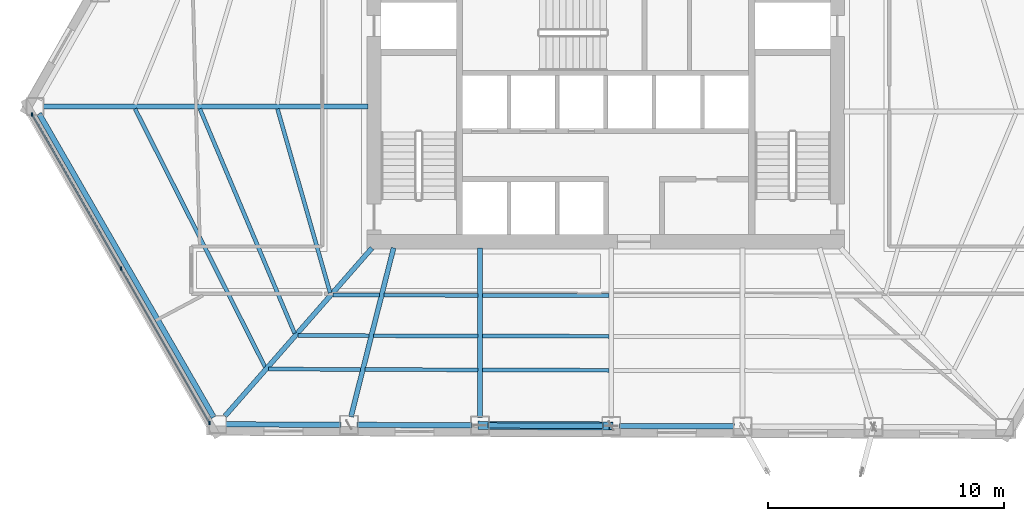
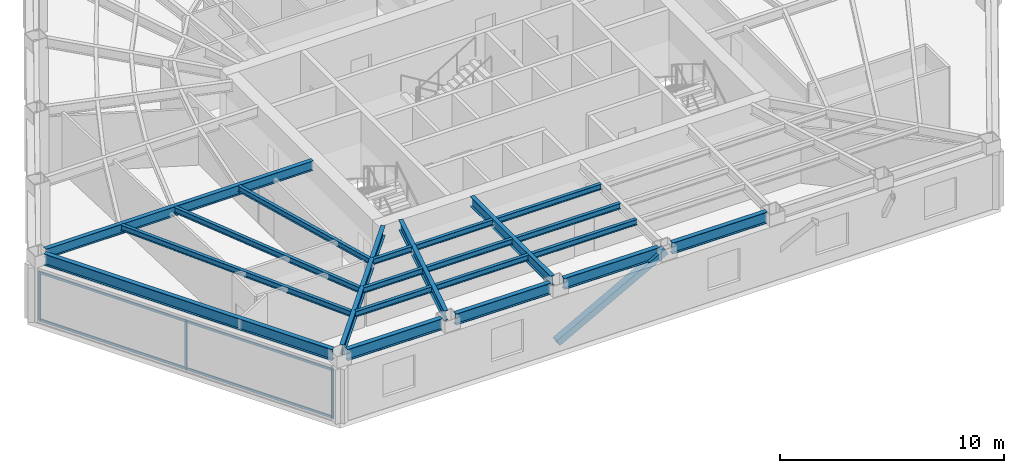
# One storey, part 2 of 13: 21 beams, 6 members, 1 element without a shape of its own.
"""IFC4 building model written with IfcOpenShell, lengths in metres."""

from ifc_helpers import new_model, si_unit, direction, frame, origin, origin_2d, place, context, subcontext, project, spatial, rectangle, hollow_rectangle, i_section, extrude, material, layer, layer_set, material_profile, profile_set, type_object, element, aggregate, save


model = new_model("IFC4")

# Units and contexts
model_context = context("Model", 3, precision=1e-05, world=origin(), true_north=direction((0.0, 1.0)))
body_context = subcontext(model_context, "Body", "Model", "MODEL_VIEW")
ifc_project = project(units=[si_unit("LENGTHUNIT", "METRE"), si_unit("AREAUNIT", "SQUARE_METRE"), si_unit("VOLUMEUNIT", "CUBIC_METRE"), si_unit("PLANEANGLEUNIT", "RADIAN"), si_unit("MASSUNIT", "GRAM", prefix="KILO")], contexts=[model_context])

# Site, building, storey
site_placement = place(None, origin())
site = spatial("IfcSite", under=ifc_project, at=site_placement, CompositionType="ELEMENT")
building_placement = place(site_placement, origin())
building = spatial("IfcBuilding", under=site, at=building_placement, Name="Kavelnor Concourse Tower", CompositionType="ELEMENT")
storey_placement = place(building_placement, frame((0.0, 0.0, 36.800048828125)))
storey = spatial("IfcBuildingStorey", under=building, at=storey_placement, Name="L09", CompositionType="ELEMENT", Elevation=36.800048828125)

# Beams
ifc_material_1 = material(Name="Steel Grade 350", Category="steel")
ifc_material_profile_1 = material_profile(ifc_material_1, i_section(OverallWidth=0.166015625, OverallDepth=0.306884765625, WebThickness=0.006591796875, FlangeThickness=0.01171875, at=origin_2d()), Name="310UB46")
ifc_profile_set_1 = profile_set([ifc_material_profile_1], Name="Steel Grade 350")
beam_type_1 = type_object("IfcBeamType", Name="BM-JOIST-310", PredefinedType="JOIST", material=ifc_profile_set_1)
beam_1_placement = place(storey_placement, frame((24.09228515625, 14.934326171875, 3.4365234375), z_axis=(0.274891986975, -0.961475114341, 0.0), x_axis=(0.961475114341, 0.274891986975, 0.0)))
element("IfcBeam", 1, at=beam_1_placement, inside=storey, type_object=beam_type_1, Name="L09 Secondary Composite Joist 01-1", PredefinedType="JOIST", context=body_context, shape_type="SweptSolid", body=[
    extrude(i_section(OverallWidth=0.166015625, OverallDepth=0.306884765625, WebThickness=0.006591796875, FlangeThickness=0.01171875, at=origin_2d()), origin(), (0.0, 0.0, 1.0), 8.114990234375),
])
beam_2_placement = place(storey_placement, frame((20.799560546875, 14.938232421875, 3.4365234375), z_axis=(0.388896715381, -0.921281360262, 0.0), x_axis=(0.921281360262, 0.388896715381, 0.0)))
element("IfcBeam", 2, at=beam_2_placement, inside=storey, type_object=beam_type_1, Name="L09 Secondary Composite Joist 01-2", PredefinedType="JOIST", context=body_context, shape_type="SweptSolid", body=[
    extrude(i_section(OverallWidth=0.166015625, OverallDepth=0.306884765625, WebThickness=0.006591796875, FlangeThickness=0.01171875, at=origin_2d()), origin(), (0.0, 0.0, 1.0), 10.331298828125),
])
beam_3_placement = place(storey_placement, frame((18.052001953125, 14.94091796875, 3.4365234375), z_axis=(0.449848799351, -0.893104729426, 0.0), x_axis=(0.893104729426, 0.449848799351, 0.0)))
element("IfcBeam", 3, at=beam_3_placement, inside=storey, type_object=beam_type_1, Name="L09 Secondary Composite Joist 01-3", PredefinedType="JOIST", context=body_context, shape_type="SweptSolid", body=[
    extrude(i_section(OverallWidth=0.166015625, OverallDepth=0.306884765625, WebThickness=0.006591796875, FlangeThickness=0.01171875, at=origin_2d()), origin(), (0.0, 0.0, 1.0), 12.25732421875),
])
beam_4_placement = place(storey_placement, frame((26.44873046875, 7.037353515625, 3.4365234375), z_axis=(0.999999222836, -0.001246726372, 0.0), x_axis=(0.001246726372, 0.999999222836, 0.0)))
element("IfcBeam", 4, at=beam_4_placement, inside=storey, type_object=beam_type_1, Name="L09 Secondary Composite Joist 02-1", PredefinedType="JOIST", context=body_context, shape_type="SweptSolid", body=[
    extrude(i_section(OverallWidth=0.166015625, OverallDepth=0.306884765625, WebThickness=0.006591796875, FlangeThickness=0.01171875, at=origin_2d()), origin(), (0.0, 0.0, 1.0), 1.958251953125),
])
beam_5_placement = place(storey_placement, frame((24.9541015625, 5.3291015625, 3.4365234375), z_axis=(0.99999246907, -0.003880953955, 0.0), x_axis=(0.003880953955, 0.99999246907, 0.0)))
element("IfcBeam", 5, at=beam_5_placement, inside=storey, type_object=beam_type_1, Name="L09 Secondary Composite Joist 02-2", PredefinedType="JOIST", context=body_context, shape_type="SweptSolid", body=[
    extrude(i_section(OverallWidth=0.166015625, OverallDepth=0.306884765625, WebThickness=0.006591796875, FlangeThickness=0.01171875, at=origin_2d()), origin(), (0.0, 0.0, 1.0), 3.01953125),
])
beam_6_placement = place(storey_placement, frame((23.70849609375, 3.905517578125, 3.4365234375), z_axis=(0.999987484595, -0.005003064338, 0.0), x_axis=(0.005003064338, 0.999987484595, 0.0)))
element("IfcBeam", 6, at=beam_6_placement, inside=storey, type_object=beam_type_1, Name="L09 Secondary Composite Joist 02-3", PredefinedType="JOIST", context=body_context, shape_type="SweptSolid", body=[
    extrude(i_section(OverallWidth=0.166015625, OverallDepth=0.306884765625, WebThickness=0.006591796875, FlangeThickness=0.01171875, at=origin_2d()), origin(), (0.0, 0.0, 1.0), 3.90380859375),
])
beam_7_placement = place(storey_placement, frame((28.60400390625, 7.03466796875, 3.4365234375), z_axis=(0.999999002523, -0.00141242797, 0.0), x_axis=(0.00141242797, 0.999999002523, 0.0)))
element("IfcBeam", 7, at=beam_7_placement, inside=storey, type_object=beam_type_1, Name="L09 Secondary Composite Joist 03-1", PredefinedType="JOIST", context=body_context, shape_type="SweptSolid", body=[
    extrude(i_section(OverallWidth=0.166015625, OverallDepth=0.306884765625, WebThickness=0.006591796875, FlangeThickness=0.01171875, at=origin_2d()), origin(), (0.0, 0.0, 1.0), 3.9755859375),
])
beam_8_placement = place(storey_placement, frame((28.170654296875, 5.31689453125, 3.4365234375), z_axis=(0.999996613305, -0.002602571617, 0.0), x_axis=(0.002602571617, 0.999996613305, 0.0)))
element("IfcBeam", 8, at=beam_8_placement, inside=storey, type_object=beam_type_1, Name="L09 Secondary Composite Joist 03-2", PredefinedType="JOIST", context=body_context, shape_type="SweptSolid", body=[
    extrude(i_section(OverallWidth=0.166015625, OverallDepth=0.306884765625, WebThickness=0.006591796875, FlangeThickness=0.01171875, at=origin_2d()), origin(), (0.0, 0.0, 1.0), 4.408935546875),
])
beam_9_placement = place(storey_placement, frame((27.809326171875, 3.88525390625, 3.4365234375), z_axis=(0.999994120896, -0.003429019198, 0.0), x_axis=(0.003429019198, 0.999994120896, 0.0)))
element("IfcBeam", 9, at=beam_9_placement, inside=storey, type_object=beam_type_1, Name="L09 Secondary Composite Joist 03-3", PredefinedType="JOIST", context=body_context, shape_type="SweptSolid", body=[
    extrude(i_section(OverallWidth=0.166015625, OverallDepth=0.306884765625, WebThickness=0.006591796875, FlangeThickness=0.01171875, at=origin_2d()), origin(), (0.0, 0.0, 1.0), 4.770263671875),
])
for number, where, z_axis, x_axis, name in (
    (10, (32.776611328125, 7.02880859375, 3.4365234375), (0.999999299171, -0.001183916114, 0.0), (0.001183916114, 0.999999299171, 0.0), "L09 Secondary Composite Joist 04-1"),
    (11, (32.776611328125, 5.3046875, 3.4365234375), (0.999997709871, -0.002140152651, 0.0), (0.002140152651, 0.999997709871, 0.0), "L09 Secondary Composite Joist 04-2"),
    (12, (32.776611328125, 3.8681640625, 3.4365234375), (0.999995484034, -0.003005314054, 0.0), (0.003005314054, 0.999995484034, 0.0), "L09 Secondary Composite Joist 04-3"),
):
    element("IfcBeam", number, at=place(storey_placement, frame(where, z_axis=z_axis, x_axis=x_axis)), inside=storey, type_object=beam_type_1, Name=name, PredefinedType="JOIST", context=body_context, shape_type="SweptSolid", body=[
        extrude(i_section(OverallWidth=0.166015625, OverallDepth=0.306884765625, WebThickness=0.006591796875, FlangeThickness=0.01171875, at=origin_2d()), origin(), (0.0, 0.0, 1.0), 5.361572265625),
    ])
ifc_material_profile_2 = material_profile(ifc_material_1, i_section(OverallWidth=0.208984375, OverallDepth=0.528076171875, WebThickness=0.009521484375, FlangeThickness=0.01318359375, at=origin_2d()), Name="530UB82")
ifc_profile_set_2 = profile_set([ifc_material_profile_2], Name="Steel Grade 350")
beam_type_2 = type_object("IfcBeamType", Name="BM-PRIMARY-530", PredefinedType="BEAM", material=ifc_profile_set_2)
beam_10_placement = place(storey_placement, frame((27.919921875, 15.029052734375, 3.325927734375), z_axis=(-1.0, 0.0, 0.0), x_axis=(0.0, -1.0, 0.0)))
element("IfcBeam", 13, at=beam_10_placement, inside=storey, type_object=beam_type_2, Name="L09 Primary Floor Girder F0-B6", PredefinedType="BEAM", context=body_context, shape_type="SweptSolid", body=[
    extrude(i_section(OverallWidth=0.208984375, OverallDepth=0.528076171875, WebThickness=0.009521484375, FlangeThickness=0.01318359375, at=origin_2d()), origin(), (0.0, 0.0, 1.0), 13.766845703125),
])
beam_11_placement = place(storey_placement, frame((28.09375, 9.030029296875, 3.325927734375), z_axis=(-0.658515574334, -0.752567098908, 0.0), x_axis=(0.752567098908, -0.658515574334, 0.0)))
element("IfcBeam", 14, at=beam_11_placement, inside=storey, type_object=beam_type_2, Name="L09 Primary Floor Girder F1-B0", PredefinedType="BEAM", context=body_context, shape_type="SweptSolid", body=[
    extrude(i_section(OverallWidth=0.208984375, OverallDepth=0.528076171875, WebThickness=0.009521484375, FlangeThickness=0.01318359375, at=origin_2d()), origin(), (0.0, 0.0, 1.0), 9.45654296875),
])
beam_12_placement = place(storey_placement, frame((29.01123046875, 9.038818359375, 3.325927734375), z_axis=(-0.244682907866, -0.96960315315, 0.0), x_axis=(0.96960315315, -0.244682907866, 0.0)))
element("IfcBeam", 15, at=beam_12_placement, inside=storey, type_object=beam_type_2, Name="L09 Primary Floor Girder F1-B1", PredefinedType="BEAM", context=body_context, shape_type="SweptSolid", body=[
    extrude(i_section(OverallWidth=0.208984375, OverallDepth=0.528076171875, WebThickness=0.009521484375, FlangeThickness=0.01318359375, at=origin_2d()), origin(), (0.0, 0.0, 1.0), 7.381591796875),
])
beam_13_placement = place(storey_placement, frame((32.677978515625, 9.0400390625, 3.325927734375), z_axis=(0.0, -1.0, 0.0), x_axis=(1.0, 0.0, 0.0)))
element("IfcBeam", 16, at=beam_13_placement, inside=storey, type_object=beam_type_2, Name="L09 Primary Floor Girder F1-B2", PredefinedType="BEAM", context=body_context, shape_type="SweptSolid", body=[
    extrude(i_section(OverallWidth=0.208984375, OverallDepth=0.528076171875, WebThickness=0.009521484375, FlangeThickness=0.01318359375, at=origin_2d()), origin(), (0.0, 0.0, 1.0), 7.1826171875),
])
ifc_material_profile_3 = material_profile(ifc_material_1, i_section(OverallWidth=0.22900390625, OverallDepth=0.612060546875, WebThickness=0.011962890625, FlangeThickness=0.01953125, at=origin_2d()), Name="610UB125")
ifc_profile_set_3 = profile_set([ifc_material_profile_3], Name="Steel Grade 350")
beam_type_3 = type_object("IfcBeamType", Name="BM-SPANDREL-Z1", PredefinedType="SPANDREL", material=ifc_profile_set_3)
for number, where, z_axis, x_axis, name in (
    (17, (21.9052734375, 1.56201171875, 3.283935546875), (0.999991339568, -0.004161825261, 0.0), (0.004161825261, 0.999991339568, 0.0), "L09 Perimeter Tube Spandrel Beam F1-B0"),
    (18, (27.464111328125, 1.5390625, 3.283935546875), (0.999991339568, -0.004161825261, 0.0), (0.004161825261, 0.999991339568, 0.0), "L09 Perimeter Tube Spandrel Beam F1-B1"),
    (19, (33.02294921875, 1.515869140625, 3.283935546875), (0.999991339568, -0.004161825261, 0.0), (0.004161825261, 0.999991339568, 0.0), "L09 Perimeter Tube Spandrel Beam F1-B2"),
    (20, (38.581787109375, 1.492919921875, 3.283935546875), (0.999991129628, -0.00421196685, 0.0), (0.00421196685, 0.999991129628, 0.0), "L09 Perimeter Tube Spandrel Beam F1-B3"),
):
    element("IfcBeam", number, at=place(storey_placement, frame(where, z_axis=z_axis, x_axis=x_axis)), inside=storey, type_object=beam_type_3, Name=name, PredefinedType="SPANDREL", context=body_context, shape_type="SweptSolid", body=[
        extrude(i_section(OverallWidth=0.22900390625, OverallDepth=0.612060546875, WebThickness=0.011962890625, FlangeThickness=0.01953125, at=origin_2d()), origin(), (0.0, 0.0, 1.0), 4.868896484375),
    ])
beam_14_placement = place(storey_placement, frame((13.985107421875, 14.72998046875, 3.283935546875), z_axis=(0.498688945207, -0.866781019594, 0.0), x_axis=(0.866781019594, 0.498688945207, 0.0)))
element("IfcBeam", 21, at=beam_14_placement, inside=storey, type_object=beam_type_3, Name="L09 Chamfer Facet Spandrel Beam C1", PredefinedType="SPANDREL", context=body_context, shape_type="SweptSolid", body=[
    extrude(i_section(OverallWidth=0.22900390625, OverallDepth=0.612060546875, WebThickness=0.011962890625, FlangeThickness=0.01953125, at=origin_2d()), origin(), (0.0, 0.0, 1.0), 14.844970703125),
])

# Curtain wall, members
ifc_material_2 = material(Name="Anodised aluminium 6063-T6", Category="aluminium")
ifc_layer = layer(ifc_material_2, 0.155029296875, Name="Anodised aluminium 6063-T6")
ifc_layer_set = layer_set([ifc_layer], Name="Anodised aluminium 6063-T6")
curtain_wall_type = type_object("IfcCurtainWallType", Name="CW-CORNER-ACCENT", PredefinedType="NOTDEFINED", material=ifc_layer_set)
curtain_wall_placement = place(storey_placement, origin())
curtain_wall = element("IfcCurtainWall", 22, at=curtain_wall_placement, inside=storey, type_object=curtain_wall_type, Name="L09 Chamfer Corner Glazed Accent C1", PredefinedType="NOTDEFINED")
ifc_material_profile_4 = material_profile(ifc_material_2, rectangle(XDim=0.06005859375, YDim=0.155029296875, at=origin_2d()), Name="AL-MULL 60x155")
ifc_profile_set_4 = profile_set([ifc_material_profile_4], Name="Anodised aluminium 6063-T6")
member_type_1 = type_object("IfcMemberType", Name="CW-CORNER-ACCENT-MULL", PredefinedType="MULLION", material=ifc_profile_set_4)
member_1_placement = place(storey_placement, frame((21.214599609375, 1.622802734375, 0.0), z_axis=(0.0, 0.0, 1.0), x_axis=(1.0, 0.0, 0.0)))
member_1 = element("IfcMember", 23, at=member_1_placement, type_object=member_type_1, Name="L09 Chamfer Corner Glazed Accent C1 Mullion 0", PredefinedType="MULLION", context=body_context, shape_type="SweptSolid", body=[
    extrude(rectangle(XDim=0.06005859375, YDim=0.155029296875, at=origin_2d()), origin(), (0.0, 0.0, 1.0), 2.699951171875),
])
member_2_placement = place(storey_placement, frame((17.452880859375, 8.160888671875, 0.0), z_axis=(0.0, 0.0, 1.0), x_axis=(1.0, 0.0, 0.0)))
member_2 = element("IfcMember", 24, at=member_2_placement, type_object=member_type_1, Name="L09 Chamfer Corner Glazed Accent C1 Mullion 1", PredefinedType="MULLION", context=body_context, shape_type="SweptSolid", body=[
    extrude(rectangle(XDim=0.06005859375, YDim=0.155029296875, at=origin_2d()), origin(), (0.0, 0.0, 1.0), 2.699951171875),
])
member_3_placement = place(storey_placement, frame((13.69140625, 14.69921875, 0.0), z_axis=(0.0, 0.0, 1.0), x_axis=(1.0, 0.0, 0.0)))
member_3 = element("IfcMember", 25, at=member_3_placement, type_object=member_type_1, Name="L09 Chamfer Corner Glazed Accent C1 Mullion 2", PredefinedType="MULLION", context=body_context, shape_type="SweptSolid", body=[
    extrude(rectangle(XDim=0.06005859375, YDim=0.155029296875, at=origin_2d()), origin(), (0.0, 0.0, 1.0), 2.699951171875),
])
ifc_material_profile_5 = material_profile(ifc_material_2, rectangle(XDim=0.06005859375, YDim=0.1298828125, at=origin_2d()), Name="AL-TRAN 60x130")
ifc_profile_set_5 = profile_set([ifc_material_profile_5], Name="Anodised aluminium 6063-T6")
member_type_2 = type_object("IfcMemberType", Name="CW-CORNER-ACCENT-TRAN", PredefinedType="USERDEFINED", material=ifc_profile_set_5)
member_4_placement = place(storey_placement, frame((21.214599609375, 1.622802734375, 0.06005859375), z_axis=(-0.498683033064, 0.866784421027, 0.0), x_axis=(-0.866784421027, -0.498683033064, 0.0)))
member_4 = element("IfcMember", 26, at=member_4_placement, type_object=member_type_2, Name="L09 Chamfer Corner Glazed Accent C1 Transom 0-BOT", ObjectType="TRANSOM", PredefinedType="USERDEFINED", context=body_context, shape_type="SweptSolid", body=[
    extrude(rectangle(XDim=0.06005859375, YDim=0.1298828125, at=origin_2d()), origin(), (0.0, 0.0, 1.0), 15.086181640625),
])
member_5_placement = place(storey_placement, frame((21.214599609375, 1.622802734375, 2.639892578125), z_axis=(-0.498683033064, 0.866784421027, 0.0), x_axis=(-0.866784421027, -0.498683033064, 0.0)))
member_5 = element("IfcMember", 27, at=member_5_placement, type_object=member_type_2, Name="L09 Chamfer Corner Glazed Accent C1 Transom 0-TOP", ObjectType="TRANSOM", PredefinedType="USERDEFINED", context=body_context, shape_type="SweptSolid", body=[
    extrude(rectangle(XDim=0.06005859375, YDim=0.1298828125, at=origin_2d()), origin(), (0.0, 0.0, 1.0), 15.086181640625),
])
aggregate(curtain_wall, [member_1, member_2, member_3, member_4, member_5])

# Member
ifc_material_profile_6 = material_profile(ifc_material_1, hollow_rectangle(XDim=0.35009765625, YDim=0.35009765625, WallThickness=0.02001953125, at=origin_2d()), Name="SHS 350x350x20")
ifc_profile_set_6 = profile_set([ifc_material_profile_6], Name="Steel Grade 350")
member_type_3 = type_object("IfcMemberType", Name="MBR-TUBE-DIAG-Z1", PredefinedType="BRACE", material=ifc_profile_set_6)
member_6_placement = place(storey_placement, frame((32.677978515625, 1.517333984375, 0.219970703125), z_axis=(0.875770357278, -0.003654011329, 0.482714128149), x_axis=(0.004172303268, 0.999991295905, 0.0)))
element("IfcMember", 28, at=member_6_placement, inside=storey, type_object=member_type_3, Name="L09 Framed-Tube Bracing Diagonal F1-B2", PredefinedType="BRACE", context=body_context, shape_type="SweptSolid", body=[
    extrude(hollow_rectangle(XDim=0.35009765625, YDim=0.35009765625, WallThickness=0.02001953125, at=origin_2d()), origin(), (0.0, 0.0, 1.0), 6.347412109375),
])

save(model, "model.ifc")
